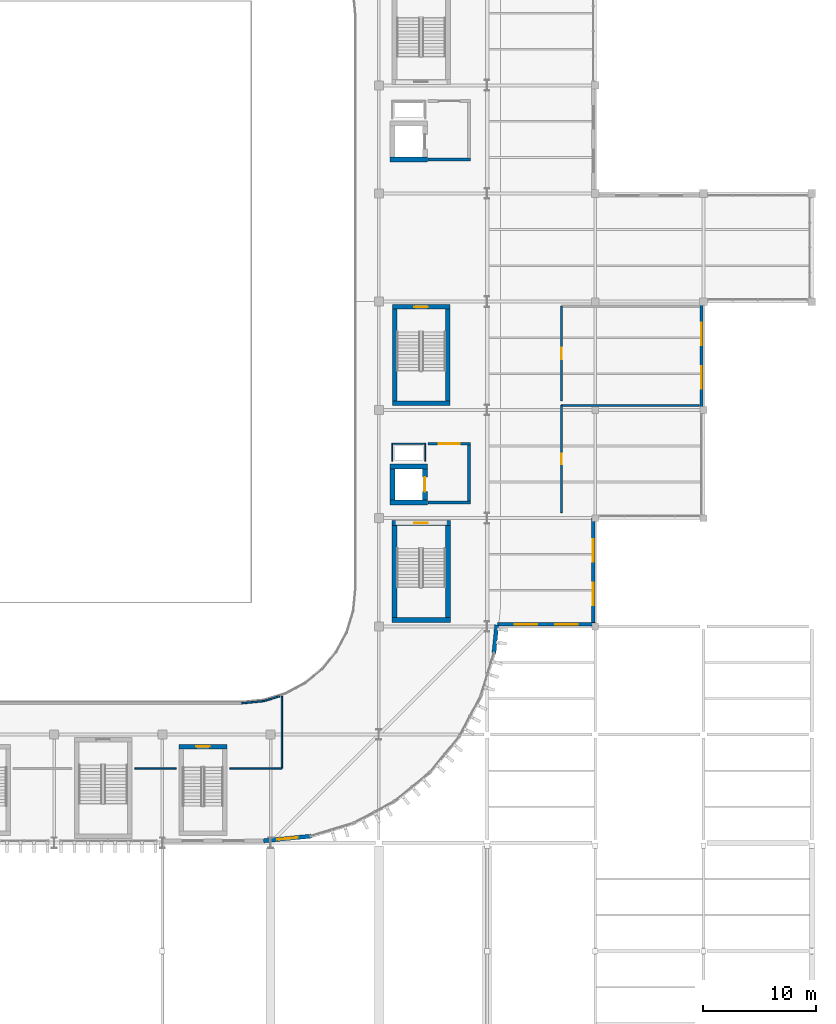
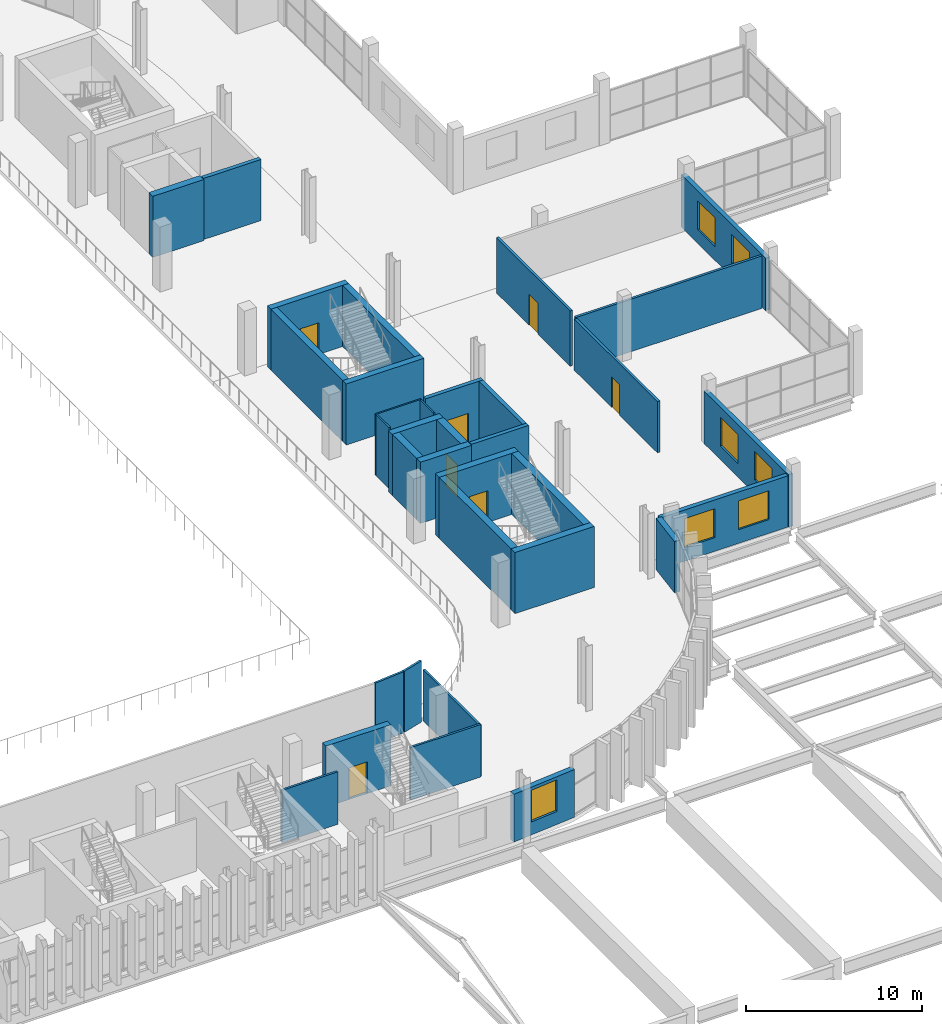
# One storey, part 50 of 75: 34 walls, 7 doors, 7 windows, 14 openings.
"""IFC4 building model written with IfcOpenShell, lengths in metres."""

from ifc_helpers import new_model, si_unit, direction, frame, frame_2d, origin, place, context, subcontext, project, spatial, rectangle, extrude, material, layer, layer_set, type_object, element, fill, save


model = new_model("IFC4")

# Units and contexts
model_context = context("Model", 3, precision=1e-05, world=origin(), true_north=direction((0.0, 1.0)))
body_context = subcontext(model_context, "Body", "Model", "MODEL_VIEW")
ifc_project = project(units=[si_unit("LENGTHUNIT", "METRE"), si_unit("AREAUNIT", "SQUARE_METRE"), si_unit("VOLUMEUNIT", "CUBIC_METRE"), si_unit("PLANEANGLEUNIT", "RADIAN"), si_unit("MASSUNIT", "GRAM", prefix="KILO")], contexts=[model_context])

# Site, building, storey
site_placement = place(None, origin())
site = spatial("IfcSite", under=ifc_project, at=site_placement, CompositionType="ELEMENT")
building_placement = place(site_placement, origin())
building = spatial("IfcBuilding", under=site, at=building_placement, Name="Caelomonte Colonnade Arena", CompositionType="ELEMENT")
storey_placement = place(building_placement, frame((0.0, 0.0, 14.10009765625)))
storey = spatial("IfcBuildingStorey", under=building, at=storey_placement, Name="L03", CompositionType="ELEMENT", Elevation=14.10009765625)

# Wall, openings, windows
ifc_material_1 = material(Name="Precast concrete C40/50", Category="concrete")
ifc_layer_1 = layer(ifc_material_1, 0.2900390625)
ifc_layer_set_1 = layer_set([ifc_layer_1], Name="Precast concrete C40/50")
wall_type_1 = type_object("IfcWallType", Name="ENV-WL-EXT29", PredefinedType="SOLIDWALL", material=ifc_layer_set_1)
wall_1_placement = place(storey_placement, frame((164.102783203125, 38.580078125, 0.0), z_axis=(0.0, 0.0, 1.0), x_axis=(1.0, 0.0, 0.0)))
wall_1 = element("IfcWall", 1, at=wall_1_placement, inside=storey, type_object=wall_type_1, Name="L03 exterior wall EW-L03-0280", PredefinedType="SOLIDWALL", context=body_context, shape_type="SweptSolid", body=[
    extrude(rectangle(XDim=8.697265625, YDim=0.2900390625, at=frame_2d((4.3486328125, 0.0))), origin(), (0.0, 0.0, 1.0), 3.556396484375),
])
opening_1_placement = place(wall_1_placement, frame((3.56591796875, 0.0, 0.949951171875), z_axis=(0.0, 0.0, 1.0), x_axis=(-1.0, 0.0, 0.0)))
opening_1 = element("IfcOpeningElement", 2, at=opening_1_placement, cuts=wall_1, Name="Opening WN-06", PredefinedType="OPENING", context=body_context, shape_type="SweptSolid", body=[
    extrude(rectangle(XDim=2.0, YDim=2.0, at=frame_2d((1.0, 1.0))), frame((0.0, 0.155029296875, 0.0), z_axis=(0.0, -1.0, 0.0), x_axis=(1.0, 0.0, 0.0)), (0.0, 0.0, 1.0), 0.31005859375),
])
opening_2_placement = place(wall_1_placement, frame((7.131591796875, 0.0, 0.949951171875), z_axis=(0.0, 0.0, 1.0), x_axis=(-1.0, 0.0, 0.0)))
opening_2 = element("IfcOpeningElement", 3, at=opening_2_placement, cuts=wall_1, Name="Opening WN-06", PredefinedType="OPENING", context=body_context, shape_type="SweptSolid", body=[
    extrude(rectangle(XDim=2.0, YDim=2.0, at=frame_2d((1.0, 1.0))), frame((0.0, 0.155029296875, 0.0), z_axis=(0.0, -1.0, 0.0), x_axis=(1.0, 0.0, 0.0)), (0.0, 0.0, 1.0), 0.31005859375),
])
ifc_material_2 = material(Name="Solar-control bronze low-E double glazing", Category="glass")
window_type_1 = type_object("IfcWindowType", Name="ENV-WN-V4C", PartitioningType="DOUBLE_PANEL_VERTICAL", PredefinedType="WINDOW", material=ifc_material_2)
window_1_placement = place(opening_1_placement, origin())
window_1 = element("IfcWindow", 4, at=window_1_placement, inside=storey, type_object=window_type_1, Name="L03 facade window 214", OverallHeight=2.0, OverallWidth=2.0, PartitioningType="SINGLE_PANEL", PredefinedType="WINDOW", context=body_context, shape_type="SweptSolid", body=[
    extrude(rectangle(XDim=2.0, YDim=2.0, at=frame_2d((1.0, 1.0))), frame((0.0, 0.030029296875, 0.0), z_axis=(0.0, -1.0, 0.0), x_axis=(1.0, 0.0, 0.0)), (0.0, 0.0, 1.0), 0.06005859375),
])
fill(opening_1, window_1)
window_2_placement = place(opening_2_placement, origin())
window_2 = element("IfcWindow", 5, at=window_2_placement, inside=storey, type_object=window_type_1, Name="L03 facade window 215", OverallHeight=2.0, OverallWidth=2.0, PartitioningType="SINGLE_PANEL", PredefinedType="WINDOW", context=body_context, shape_type="SweptSolid", body=[
    extrude(rectangle(XDim=2.0, YDim=2.0, at=frame_2d((1.0, 1.0))), frame((0.0, 0.030029296875, 0.0), z_axis=(0.0, -1.0, 0.0), x_axis=(1.0, 0.0, 0.0)), (0.0, 0.0, 1.0), 0.06005859375),
])
fill(opening_2, window_2)

wall_2_placement = place(storey_placement, frame((172.6201171875, 38.39990234375, 0.0), z_axis=(0.0, 0.0, 1.0), x_axis=(0.0, 1.0, 0.0)))
wall_2 = element("IfcWall", 6, at=wall_2_placement, inside=storey, type_object=wall_type_1, Name="L03 exterior wall EW-L03-0281", PredefinedType="SOLIDWALL", context=body_context, shape_type="SweptSolid", body=[
    extrude(rectangle(XDim=9.60009765625, YDim=0.2900390625, at=frame_2d((4.800048828125, 0.0))), origin(), (0.0, 0.0, 1.0), 3.637939453125),
])
opening_3_placement = place(wall_2_placement, frame((3.86669921875, 0.0, 0.949951171875), z_axis=(0.0, 0.0, 1.0), x_axis=(-1.0, 0.0, 0.0)))
opening_3 = element("IfcOpeningElement", 7, at=opening_3_placement, cuts=wall_2, Name="Opening WN-06", PredefinedType="OPENING", context=body_context, shape_type="SweptSolid", body=[
    extrude(rectangle(XDim=2.0, YDim=2.0, at=frame_2d((1.0, 1.0))), frame((0.0, 0.155029296875, 0.0), z_axis=(0.0, -1.0, 0.0), x_axis=(1.0, 0.0, 0.0)), (0.0, 0.0, 1.0), 0.31005859375),
])
opening_4_placement = place(wall_2_placement, frame((7.7333984375, 0.0, 0.949951171875), z_axis=(0.0, 0.0, 1.0), x_axis=(-1.0, 0.0, 0.0)))
opening_4 = element("IfcOpeningElement", 8, at=opening_4_placement, cuts=wall_2, Name="Opening WN-06", PredefinedType="OPENING", context=body_context, shape_type="SweptSolid", body=[
    extrude(rectangle(XDim=2.0, YDim=2.0, at=frame_2d((1.0, 1.0))), frame((0.0, 0.155029296875, 0.0), z_axis=(0.0, -1.0, 0.0), x_axis=(1.0, 0.0, 0.0)), (0.0, 0.0, 1.0), 0.31005859375),
])
window_3_placement = place(opening_3_placement, origin())
window_3 = element("IfcWindow", 9, at=window_3_placement, inside=storey, type_object=window_type_1, Name="L03 facade window 216", OverallHeight=2.0, OverallWidth=2.0, PartitioningType="SINGLE_PANEL", PredefinedType="WINDOW", context=body_context, shape_type="SweptSolid", body=[
    extrude(rectangle(XDim=2.0, YDim=2.0, at=frame_2d((1.0, 1.0))), frame((0.0, 0.030029296875, 0.0), z_axis=(0.0, -1.0, 0.0), x_axis=(1.0, 0.0, 0.0)), (0.0, 0.0, 1.0), 0.06005859375),
])
fill(opening_3, window_3)
window_4_placement = place(opening_4_placement, origin())
window_4 = element("IfcWindow", 10, at=window_4_placement, inside=storey, type_object=window_type_1, Name="L03 facade window 217", OverallHeight=2.0, OverallWidth=2.0, PartitioningType="SINGLE_PANEL", PredefinedType="WINDOW", context=body_context, shape_type="SweptSolid", body=[
    extrude(rectangle(XDim=2.0, YDim=2.0, at=frame_2d((1.0, 1.0))), frame((0.0, 0.030029296875, 0.0), z_axis=(0.0, -1.0, 0.0), x_axis=(1.0, 0.0, 0.0)), (0.0, 0.0, 1.0), 0.06005859375),
])
fill(opening_4, window_4)

wall_3_placement = place(storey_placement, frame((182.219970703125, 57.60009765625, 0.0), z_axis=(0.0, 0.0, 1.0), x_axis=(0.0, 1.0, 0.0)))
wall_3 = element("IfcWall", 11, at=wall_3_placement, inside=storey, type_object=wall_type_1, Name="L03 exterior wall EW-L03-0282", PredefinedType="SOLIDWALL", context=body_context, shape_type="SweptSolid", body=[
    extrude(rectangle(XDim=9.599853515625, YDim=0.2900390625, at=frame_2d((4.7998046875, 0.0))), origin(), (0.0, 0.0, 1.0), 3.637939453125),
])
opening_5_placement = place(wall_3_placement, frame((3.86669921875, 0.0, 0.949951171875), z_axis=(0.0, 0.0, 1.0), x_axis=(-1.0, 0.0, 0.0)))
opening_5 = element("IfcOpeningElement", 12, at=opening_5_placement, cuts=wall_3, Name="Opening WN-06", PredefinedType="OPENING", context=body_context, shape_type="SweptSolid", body=[
    extrude(rectangle(XDim=2.0, YDim=2.0, at=frame_2d((1.0, 1.0))), frame((0.0, 0.155029296875, 0.0), z_axis=(0.0, -1.0, 0.0), x_axis=(1.0, 0.0, 0.0)), (0.0, 0.0, 1.0), 0.31005859375),
])
opening_6_placement = place(wall_3_placement, frame((7.7333984375, 0.0, 0.949951171875), z_axis=(0.0, 0.0, 1.0), x_axis=(-1.0, 0.0, 0.0)))
opening_6 = element("IfcOpeningElement", 13, at=opening_6_placement, cuts=wall_3, Name="Opening WN-06", PredefinedType="OPENING", context=body_context, shape_type="SweptSolid", body=[
    extrude(rectangle(XDim=2.0, YDim=2.0, at=frame_2d((1.0, 1.0))), frame((0.0, 0.155029296875, 0.0), z_axis=(0.0, -1.0, 0.0), x_axis=(1.0, 0.0, 0.0)), (0.0, 0.0, 1.0), 0.31005859375),
])
window_5_placement = place(opening_5_placement, origin())
window_5 = element("IfcWindow", 14, at=window_5_placement, inside=storey, type_object=window_type_1, Name="L03 facade window 218", OverallHeight=2.0, OverallWidth=2.0, PartitioningType="SINGLE_PANEL", PredefinedType="WINDOW", context=body_context, shape_type="SweptSolid", body=[
    extrude(rectangle(XDim=2.0, YDim=2.0, at=frame_2d((1.0, 1.0))), frame((0.0, 0.030029296875, 0.0), z_axis=(0.0, -1.0, 0.0), x_axis=(1.0, 0.0, 0.0)), (0.0, 0.0, 1.0), 0.06005859375),
])
fill(opening_5, window_5)
window_6_placement = place(opening_6_placement, origin())
window_6 = element("IfcWindow", 15, at=window_6_placement, inside=storey, type_object=window_type_1, Name="L03 facade window 219", OverallHeight=2.0, OverallWidth=2.0, PartitioningType="SINGLE_PANEL", PredefinedType="WINDOW", context=body_context, shape_type="SweptSolid", body=[
    extrude(rectangle(XDim=2.0, YDim=2.0, at=frame_2d((1.0, 1.0))), frame((0.0, 0.030029296875, 0.0), z_axis=(0.0, -1.0, 0.0), x_axis=(1.0, 0.0, 0.0)), (0.0, 0.0, 1.0), 0.06005859375),
])
fill(opening_6, window_6)

# Wall, opening, window
ifc_layer_2 = layer(ifc_material_1, 0.360107421875)
ifc_layer_set_2 = layer_set([ifc_layer_2], Name="Precast concrete C40/50")
wall_type_2 = type_object("IfcWallType", Name="ENV-WL-EXT36", PredefinedType="SOLIDWALL", material=ifc_layer_set_2)
wall_4_placement = place(storey_placement, frame((143.38232421875, 19.379150390625, 0.0), z_axis=(0.0, 0.0, 1.0), x_axis=(0.995184426144, 0.098020191596, 0.0)))
wall_4 = element("IfcWall", 16, at=wall_4_placement, inside=storey, type_object=wall_type_2, Name="L03 exterior wall EW-L03-0278", PredefinedType="SOLIDWALL", context=body_context, shape_type="SweptSolid", body=[
    extrude(rectangle(XDim=4.23681640625, YDim=0.360107421875, at=frame_2d((2.118408203125, 0.0))), origin(), (0.0, 0.0, 1.0), 3.312744140625),
])
opening_7_placement = place(wall_4_placement, frame((3.0185546875, 0.0, 0.89990234375), z_axis=(0.0, 0.0, 1.0), x_axis=(-1.0, 0.0, 0.0)))
opening_7 = element("IfcOpeningElement", 17, at=opening_7_placement, cuts=wall_4, Name="Opening WN-03", PredefinedType="OPENING", context=body_context, shape_type="SweptSolid", body=[
    extrude(rectangle(XDim=1.800048828125, YDim=2.199951171875, at=frame_2d((0.89990234375, 1.10009765625))), frame((0.0, 0.18994140625, 0.0), z_axis=(0.0, -1.0, 0.0), x_axis=(1.0, 0.0, 0.0)), (0.0, 0.0, 1.0), 0.380126953125),
])
window_type_2 = type_object("IfcWindowType", Name="ENV-WN-V3C", PartitioningType="DOUBLE_PANEL_VERTICAL", PredefinedType="WINDOW", material=ifc_material_2)
window_7_placement = place(opening_7_placement, origin())
window_7 = element("IfcWindow", 18, at=window_7_placement, inside=storey, type_object=window_type_2, Name="L03 facade window 213", OverallHeight=2.199951171875, OverallWidth=1.800048828125, PartitioningType="SINGLE_PANEL", PredefinedType="WINDOW", context=body_context, shape_type="SweptSolid", body=[
    extrude(rectangle(XDim=1.800048828125, YDim=2.199951171875, at=frame_2d((0.89990234375, 1.10009765625))), frame((0.0, 0.030029296875, 0.0), z_axis=(0.0, -1.0, 0.0), x_axis=(1.0, 0.0, 0.0)), (0.0, 0.0, 1.0), 0.06005859375),
])
fill(opening_7, window_7)

# Walls
wall_5_placement = place(storey_placement, frame((163.8056640625, 36.001220703125, 0.0), z_axis=(0.0, 0.0, 1.0), x_axis=(0.098014274014, 0.995185008975, 0.0)))
element("IfcWall", 19, at=wall_5_placement, inside=storey, type_object=wall_type_2, Name="L03 exterior wall EW-L03-0279", PredefinedType="SOLIDWALL", context=body_context, shape_type="SweptSolid", body=[
    extrude(rectangle(XDim=2.548095703125, YDim=0.360107421875, at=frame_2d((1.27392578125, 0.0))), origin(), (0.0, 0.0, 1.0), 3.556396484375),
])
ifc_material_3 = material(Name="Concrete C40/50", Category="concrete")
ifc_layer_3 = layer(ifc_material_3, 0.260009765625)
ifc_layer_set_3 = layer_set([ifc_layer_3], Name="Concrete C40/50")
wall_type_3 = type_object("IfcWallType", Name="INT-WL-FW26", PredefinedType="SOLIDWALL", material=ifc_layer_set_3)
wall_6_placement = place(storey_placement, frame((157.969970703125, 49.39990234375, 0.0), z_axis=(0.0, 0.0, 1.0), x_axis=(1.0, 0.0, 0.0)))
element("IfcWall", 20, at=wall_6_placement, inside=storey, type_object=wall_type_3, Name="FW-C2-LB L03 south enclosure wall", PredefinedType="SOLIDWALL", context=body_context, shape_type="SweptSolid", body=[
    extrude(rectangle(XDim=3.760009765625, YDim=0.260009765625, at=frame_2d((1.8798828125, 0.0))), origin(), (0.0, 0.0, 1.0), 4.239990234375),
])

# Wall, opening, door
wall_7_placement = place(storey_placement, frame((161.72998046875, 54.60009765625, 0.0), z_axis=(0.0, 0.0, 1.0), x_axis=(-1.0, 0.0, 0.0)))
wall_7 = element("IfcWall", 21, at=wall_7_placement, inside=storey, type_object=wall_type_3, Name="FW-C2-LB L03 north enclosure wall", PredefinedType="SOLIDWALL", context=body_context, shape_type="SweptSolid", body=[
    extrude(rectangle(XDim=3.760009765625, YDim=0.260009765625, at=frame_2d((1.8798828125, 0.0))), origin(), (0.0, 0.0, 1.0), 4.239990234375),
])
opening_8_placement = place(wall_7_placement, frame((2.80517578125, 0.0, 0.0), z_axis=(0.0, 0.0, 1.0), x_axis=(-1.0, 0.0, 0.0)))
opening_8 = element("IfcOpeningElement", 22, at=opening_8_placement, cuts=wall_7, Name="Opening FD-2", PredefinedType="OPENING", context=body_context, shape_type="SweptSolid", body=[
    extrude(rectangle(XDim=1.85009765625, YDim=2.25, at=frame_2d((0.925048828125, 1.125))), frame((0.0, 0.139892578125, 0.0), z_axis=(0.0, -1.0, 0.0), x_axis=(1.0, 0.0, 0.0)), (0.0, 0.0, 1.0), 0.280029296875),
])
ifc_material_4 = material(Name="Fire-rated double steel door", Category="steel")
door_type_1 = type_object("IfcDoorType", Name="INT-DR-FD90B", OperationType="DOUBLE_DOOR_SINGLE_SWING", PredefinedType="DOOR", material=ifc_material_4)
door_1_placement = place(opening_8_placement, origin())
door_1 = element("IfcDoor", 23, at=door_1_placement, inside=storey, type_object=door_type_1, Name="Core C2 L03 lobby fire door", OperationType="DOUBLE_DOOR_SINGLE_SWING", OverallHeight=2.25, OverallWidth=1.85009765625, PredefinedType="DOOR", context=body_context, shape_type="SweptSolid", body=[
    extrude(rectangle(XDim=1.85009765625, YDim=2.25, at=frame_2d((0.925048828125, 1.125))), frame((0.0, 0.02490234375, 0.0), z_axis=(0.0, -1.0, 0.0), x_axis=(1.0, 0.0, 0.0)), (0.0, 0.0, 1.0), 0.050048828125),
])
fill(opening_8, door_1)

# Walls
wall_8_placement = place(storey_placement, frame((161.60009765625, 49.530029296875, 0.0), z_axis=(0.0, 0.0, 1.0), x_axis=(0.0, 1.0, 0.0)))
element("IfcWall", 24, at=wall_8_placement, inside=storey, type_object=wall_type_3, Name="FW-C2-LB L03 east enclosure wall", PredefinedType="SOLIDWALL", context=body_context, shape_type="SweptSolid", body=[
    extrude(rectangle(XDim=4.93994140625, YDim=0.260009765625, at=frame_2d((2.469970703125, 0.0))), origin(), (0.0, 0.0, 1.0), 4.239990234375),
])
wall_9_placement = place(storey_placement, frame((157.969970703125, 79.800048828125, 0.0), z_axis=(0.0, 0.0, 1.0), x_axis=(1.0, 0.0, 0.0)))
element("IfcWall", 25, at=wall_9_placement, inside=storey, type_object=wall_type_3, Name="FW-C3-LB L03 south enclosure wall", PredefinedType="SOLIDWALL", context=body_context, shape_type="SweptSolid", body=[
    extrude(rectangle(XDim=3.760009765625, YDim=0.260009765625, at=frame_2d((1.8798828125, 0.0))), origin(), (0.0, 0.0, 1.0), 4.239990234375),
])
ifc_material_5 = material(Name="Service shaft lining partition")
ifc_layer_4 = layer(ifc_material_5, 0.10009765625)
ifc_layer_set_4 = layer_set([ifc_layer_4], Name="Service shaft lining partition")
wall_type_4 = type_object("IfcWallType", Name="INT-WL-PT10", PredefinedType="PARTITIONING", material=ifc_layer_set_4)
wall_10_placement = place(storey_placement, frame((157.75, 54.60009765625, 0.0), z_axis=(0.0, 0.0, 1.0), x_axis=(-1.0, 0.0, 0.0)))
element("IfcWall", 26, at=wall_10_placement, inside=storey, type_object=wall_type_4, Name="FW-C2-RS L03 north enclosure wall", PredefinedType="PARTITIONING", context=body_context, shape_type="SweptSolid", body=[
    extrude(rectangle(XDim=3.0, YDim=0.10009765625, at=frame_2d((1.5, 0.0))), origin(), (0.0, 0.0, 1.0), 4.239990234375),
])
for number, where, z_axis, x_axis, name in (
    (27, (154.800048828125, 54.550048828125, 0.0), (0.0, 0.0, 1.0), (0.0, -1.0, 0.0), "FW-C2-RS L03 west enclosure wall"),
    (28, (157.699951171875, 53.050048828125, 0.0), (0.0, 0.0, 1.0), (0.0, 1.0, 0.0), "FW-C2-RS L03 east enclosure wall"),
):
    element("IfcWall", number, at=place(storey_placement, frame(where, z_axis=z_axis, x_axis=x_axis)), inside=storey, type_object=wall_type_4, Name=name, PredefinedType="PARTITIONING", context=body_context, shape_type="SweptSolid", body=[
        extrude(rectangle(XDim=1.5, YDim=0.10009765625, at=frame_2d((0.75, 0.0))), origin(), (0.0, 0.0, 1.0), 4.239990234375),
    ])
ifc_material_6 = material(Name="Suite demising stud partition")
ifc_layer_5 = layer(ifc_material_6, 0.139892578125)
ifc_layer_set_5 = layer_set([ifc_layer_5], Name="Suite demising stud partition")
wall_type_5 = type_object("IfcWallType", Name="INT-WL-PT14", PredefinedType="PARTITIONING", material=ifc_layer_set_5)
wall_11_placement = place(storey_placement, frame((141.421630859375, 31.5810546875, 0.0), z_axis=(0.0, 0.0, 1.0), x_axis=(0.995185270943, 0.098011614095, 0.0)))
element("IfcWall", 29, at=wall_11_placement, inside=storey, type_object=wall_type_5, Name="L03 Hospitality Suite South Ring partition 201", PredefinedType="PARTITIONING", context=body_context, shape_type="SweptSolid", body=[
    extrude(rectangle(XDim=1.96044921875, YDim=0.139892578125, at=frame_2d((0.980224609375, 0.0))), origin(), (0.0, 0.0, 1.0), 4.239990234375),
])
wall_12_placement = place(storey_placement, frame((143.414794921875, 31.781494140625, 0.0), z_axis=(0.0, 0.0, 1.0), x_axis=(0.956921766266, 0.290345885534, 0.0)))
element("IfcWall", 30, at=wall_12_placement, inside=storey, type_object=wall_type_5, Name="L03 Hospitality Suite South Ring partition 202", PredefinedType="PARTITIONING", context=body_context, shape_type="SweptSolid", body=[
    extrude(rectangle(XDim=1.441162109375, YDim=0.139892578125, at=frame_2d((0.720703125, 0.0))), origin(), (0.0, 0.0, 1.0), 4.239990234375),
])
wall_13_placement = place(storey_placement, frame((145.0, 32.199951171875, 0.0), z_axis=(0.0, 0.0, 1.0), x_axis=(0.0, -1.0, 0.0)))
element("IfcWall", 31, at=wall_13_placement, inside=storey, type_object=wall_type_5, Name="L03 Hospitality Suite South Ring partition 203", PredefinedType="PARTITIONING", context=body_context, shape_type="SweptSolid", body=[
    extrude(rectangle(XDim=6.39990234375, YDim=0.139892578125, at=frame_2d((3.199951171875, 0.0))), origin(), (0.0, 0.0, 1.0), 3.556396484375),
])
wall_14_placement = place(storey_placement, frame((145.0, 25.800048828125, 0.0), z_axis=(0.0, 0.0, 1.0), x_axis=(-1.0, 0.0, 0.0)))
element("IfcWall", 32, at=wall_14_placement, inside=storey, type_object=wall_type_5, Name="L03 Hospitality Suite South Ring partition 204", PredefinedType="PARTITIONING", context=body_context, shape_type="SweptSolid", body=[
    extrude(rectangle(XDim=4.6201171875, YDim=0.139892578125, at=frame_2d((2.31005859375, 0.0))), origin(), (0.0, 0.0, 1.0), 3.637939453125),
])
wall_15_placement = place(storey_placement, frame((135.6201171875, 25.800048828125, 0.0), z_axis=(0.0, 0.0, 1.0), x_axis=(-1.0, 0.0, 0.0)))
element("IfcWall", 33, at=wall_15_placement, inside=storey, type_object=wall_type_5, Name="L03 Hospitality Suite South Ring partition 205", PredefinedType="PARTITIONING", context=body_context, shape_type="SweptSolid", body=[
    extrude(rectangle(XDim=3.670166015625, YDim=0.139892578125, at=frame_2d((1.8349609375, 0.0))), origin(), (0.0, 0.0, 1.0), 3.637939453125),
])
ifc_material_7 = material(Name="Moisture-resistant WC partition")
ifc_layer_6 = layer(ifc_material_7, 0.159912109375)
ifc_layer_set_6 = layer_set([ifc_layer_6], Name="Moisture-resistant WC partition")
wall_type_6 = type_object("IfcWallType", Name="INT-WL-PT16", PredefinedType="PARTITIONING", material=ifc_layer_set_6)
wall_16_placement = place(storey_placement, frame((169.800048828125, 58.0, 0.0), z_axis=(0.0, 0.0, 1.0), x_axis=(1.0, 0.0, 0.0)))
element("IfcWall", 34, at=wall_16_placement, inside=storey, type_object=wall_type_6, Name="L03 Suite Level Restroom partition 234", PredefinedType="PARTITIONING", context=body_context, shape_type="SweptSolid", body=[
    extrude(rectangle(XDim=12.199951171875, YDim=0.159912109375, at=frame_2d((6.10009765625, 0.0))), origin(), (0.0, 0.0, 1.0), 3.637939453125),
])

# Wall, opening, door
wall_17_placement = place(storey_placement, frame((169.800048828125, 48.5, 0.0), z_axis=(0.0, 0.0, 1.0), x_axis=(0.0, 1.0, 0.0)))
wall_17 = element("IfcWall", 35, at=wall_17_placement, inside=storey, type_object=wall_type_6, Name="L03 Suite Level Restroom partition 235", PredefinedType="PARTITIONING", context=body_context, shape_type="SweptSolid", body=[
    extrude(rectangle(XDim=9.5, YDim=0.159912109375, at=frame_2d((4.75, 0.0))), origin(), (0.0, 0.0, 1.0), 3.556396484375),
])
opening_9_placement = place(wall_17_placement, frame((4.2900390625, 0.0, 0.0), z_axis=(0.0, 0.0, 1.0), x_axis=(1.0, 0.0, 0.0)))
opening_9 = element("IfcOpeningElement", 36, at=opening_9_placement, cuts=wall_17, Name="Opening D-L03-063", PredefinedType="OPENING", context=body_context, shape_type="SweptSolid", body=[
    extrude(rectangle(XDim=0.919921875, YDim=2.1201171875, at=frame_2d((0.4599609375, 1.06005859375))), frame((0.0, 0.08984375, 0.0), z_axis=(0.0, -1.0, 0.0), x_axis=(1.0, 0.0, 0.0)), (0.0, 0.0, 1.0), 0.179931640625),
])
ifc_material_8 = material(Name="Laminate restroom entrance door")
door_type_2 = type_object("IfcDoorType", Name="INT-DR-WC1", OperationType="NOTDEFINED", PredefinedType="DOOR", material=ifc_material_8)
door_2_placement = place(opening_9_placement, origin())
door_2 = element("IfcDoor", 37, at=door_2_placement, inside=storey, type_object=door_type_2, Name="L03 Suite Level Restroom door D-L03-063", OperationType="SINGLE_SWING_RIGHT", OverallHeight=2.1201171875, OverallWidth=0.919921875, PredefinedType="DOOR", context=body_context, shape_type="SweptSolid", body=[
    extrude(rectangle(XDim=0.919921875, YDim=2.1201171875, at=frame_2d((0.4599609375, 1.06005859375))), frame((0.0, 0.02490234375, 0.0), z_axis=(0.0, -1.0, 0.0), x_axis=(1.0, 0.0, 0.0)), (0.0, 0.0, 1.0), 0.050048828125),
])
fill(opening_9, door_2)

wall_18_placement = place(storey_placement, frame((169.800048828125, 58.39990234375, 0.0), z_axis=(0.0, 0.0, 1.0), x_axis=(0.0, 1.0, 0.0)))
wall_18 = element("IfcWall", 38, at=wall_18_placement, inside=storey, type_object=wall_type_6, Name="L03 Suite Level Accessible WC partition 237", PredefinedType="PARTITIONING", context=body_context, shape_type="SweptSolid", body=[
    extrude(rectangle(XDim=8.400146484375, YDim=0.159912109375, at=frame_2d((4.2001953125, 0.0))), origin(), (0.0, 0.0, 1.0), 3.83349609375),
])
opening_10_placement = place(wall_18_placement, frame((3.68994140625, 0.0, 0.0), z_axis=(0.0, 0.0, 1.0), x_axis=(1.0, 0.0, 0.0)))
opening_10 = element("IfcOpeningElement", 39, at=opening_10_placement, cuts=wall_18, Name="Opening D-L03-064", PredefinedType="OPENING", context=body_context, shape_type="SweptSolid", body=[
    extrude(rectangle(XDim=1.02001953125, YDim=2.14990234375, at=frame_2d((0.510009765625, 1.074951171875))), frame((0.0, 0.08984375, 0.0), z_axis=(0.0, -1.0, 0.0), x_axis=(1.0, 0.0, 0.0)), (0.0, 0.0, 1.0), 0.179931640625),
])
ifc_material_9 = material(Name="Accessible WC outward-swing door")
door_type_3 = type_object("IfcDoorType", Name="INT-DR-AWC", OperationType="NOTDEFINED", PredefinedType="DOOR", material=ifc_material_9)
door_3_placement = place(opening_10_placement, origin())
door_3 = element("IfcDoor", 40, at=door_3_placement, inside=storey, type_object=door_type_3, Name="L03 Suite Level Accessible WC door D-L03-064", OperationType="SINGLE_SWING_LEFT", OverallHeight=2.14990234375, OverallWidth=1.02001953125, PredefinedType="DOOR", context=body_context, shape_type="SweptSolid", body=[
    extrude(rectangle(XDim=1.02001953125, YDim=2.14990234375, at=frame_2d((0.510009765625, 1.074951171875))), frame((0.0, 0.02490234375, 0.0), z_axis=(0.0, -1.0, 0.0), x_axis=(1.0, 0.0, 0.0)), (0.0, 0.0, 1.0), 0.050048828125),
])
fill(opening_10, door_3)

# Wall
ifc_material_10 = material(Name="Concrete C50/60", Category="concrete")
ifc_layer_7 = layer(ifc_material_10, 0.39990234375)
ifc_layer_set_7 = layer_set([ifc_layer_7], Name="Concrete C50/60")
wall_type_7 = type_object("IfcWallType", Name="INT-WL-SH40", PredefinedType="SHEAR", material=ifc_layer_set_7)
wall_19_placement = place(storey_placement, frame((154.800048828125, 58.199951171875, 0.0), z_axis=(0.0, 0.0, 1.0), x_axis=(1.0, 0.0, 0.0)))
element("IfcWall", 41, at=wall_19_placement, inside=storey, type_object=wall_type_7, Name="CW-ST-10 L03 south enclosure wall", PredefinedType="SHEAR", context=body_context, shape_type="SweptSolid", body=[
    extrude(rectangle(XDim=5.099853515625, YDim=0.39990234375, at=frame_2d((2.5498046875, 0.0))), origin(), (0.0, 0.0, 1.0), 4.239990234375),
])

# Wall, opening, door
wall_20_placement = place(storey_placement, frame((159.89990234375, 66.75, 0.0), z_axis=(0.0, 0.0, 1.0), x_axis=(-1.0, 0.0, 0.0)))
wall_20 = element("IfcWall", 42, at=wall_20_placement, inside=storey, type_object=wall_type_7, Name="CW-ST-10 L03 north enclosure wall", PredefinedType="SHEAR", context=body_context, shape_type="SweptSolid", body=[
    extrude(rectangle(XDim=5.099853515625, YDim=0.39990234375, at=frame_2d((2.5498046875, 0.0))), origin(), (0.0, 0.0, 1.0), 4.239990234375),
])
opening_11_placement = place(wall_20_placement, frame((3.14990234375, 0.0, 0.0), z_axis=(0.0, 0.0, 1.0), x_axis=(-1.0, 0.0, 0.0)))
opening_11 = element("IfcOpeningElement", 43, at=opening_11_placement, cuts=wall_20, Name="Opening FD-1", PredefinedType="OPENING", context=body_context, shape_type="SweptSolid", body=[
    extrude(rectangle(XDim=1.199951171875, YDim=2.199951171875, at=frame_2d((0.60009765625, 1.10009765625))), frame((0.0, 0.2099609375, 0.0), z_axis=(0.0, -1.0, 0.0), x_axis=(1.0, 0.0, 0.0)), (0.0, 0.0, 1.0), 0.419921875),
])
ifc_material_11 = material(Name="Fire-rated steel door", Category="steel")
door_type_4 = type_object("IfcDoorType", Name="INT-DR-FD90A", OperationType="NOTDEFINED", PredefinedType="DOOR", material=ifc_material_11)
door_4_placement = place(opening_11_placement, origin())
door_4 = element("IfcDoor", 44, at=door_4_placement, inside=storey, type_object=door_type_4, Name="Protected exit stair ST-10 L03 fire door", OperationType="SINGLE_SWING_LEFT", OverallHeight=2.199951171875, OverallWidth=1.199951171875, PredefinedType="DOOR", context=body_context, shape_type="SweptSolid", body=[
    extrude(rectangle(XDim=1.199951171875, YDim=2.199951171875, at=frame_2d((0.60009765625, 1.10009765625))), frame((0.0, 0.02490234375, 0.0), z_axis=(0.0, -1.0, 0.0), x_axis=(1.0, 0.0, 0.0)), (0.0, 0.0, 1.0), 0.050048828125),
])
fill(opening_11, door_4)

# Walls
for number, where, z_axis, x_axis, name in (
    (45, (155.0, 66.550048828125, 0.0), (0.0, 0.0, 1.0), (0.0, -1.0, 0.0), "CW-ST-10 L03 west enclosure wall"),
    (46, (159.699951171875, 58.39990234375, 0.0), (0.0, 0.0, 1.0), (0.0, 1.0, 0.0), "CW-ST-10 L03 east enclosure wall"),
):
    element("IfcWall", number, at=place(storey_placement, frame(where, z_axis=z_axis, x_axis=x_axis)), inside=storey, type_object=wall_type_7, Name=name, PredefinedType="SHEAR", context=body_context, shape_type="SweptSolid", body=[
        extrude(rectangle(XDim=8.150146484375, YDim=0.39990234375, at=frame_2d((4.0751953125, 0.0))), origin(), (0.0, 0.0, 1.0), 4.239990234375),
    ])

# Wall, opening, door
wall_21_placement = place(storey_placement, frame((140.1298828125, 27.72998046875, 0.0), z_axis=(0.0, 0.0, 1.0), x_axis=(-1.0, 0.0, 0.0)))
wall_21 = element("IfcWall", 47, at=wall_21_placement, inside=storey, type_object=wall_type_7, Name="CW-ST-V12 L03 north enclosure wall", PredefinedType="SHEAR", context=body_context, shape_type="SweptSolid", body=[
    extrude(rectangle(XDim=4.259765625, YDim=0.39990234375, at=frame_2d((2.1298828125, 0.0))), origin(), (0.0, 0.0, 1.0), 4.239990234375),
])
opening_12_placement = place(wall_21_placement, frame((2.72998046875, 0.0, 0.0), z_axis=(0.0, 0.0, 1.0), x_axis=(-1.0, 0.0, 0.0)))
opening_12 = element("IfcOpeningElement", 48, at=opening_12_placement, cuts=wall_21, Name="Opening FD-1", PredefinedType="OPENING", context=body_context, shape_type="SweptSolid", body=[
    extrude(rectangle(XDim=1.199951171875, YDim=2.199951171875, at=frame_2d((0.60009765625, 1.10009765625))), frame((0.0, 0.2099609375, 0.0), z_axis=(0.0, -1.0, 0.0), x_axis=(1.0, 0.0, 0.0)), (0.0, 0.0, 1.0), 0.419921875),
])
door_5_placement = place(opening_12_placement, origin())
door_5 = element("IfcDoor", 49, at=door_5_placement, inside=storey, type_object=door_type_4, Name="Vomitory VOM-12 stair ST-V12 L03 portal door", OperationType="SINGLE_SWING_RIGHT", OverallHeight=2.199951171875, OverallWidth=1.199951171875, PredefinedType="DOOR", context=body_context, shape_type="SweptSolid", body=[
    extrude(rectangle(XDim=1.199951171875, YDim=2.199951171875, at=frame_2d((0.60009765625, 1.10009765625))), frame((0.0, 0.02490234375, 0.0), z_axis=(0.0, -1.0, 0.0), x_axis=(1.0, 0.0, 0.0)), (0.0, 0.0, 1.0), 0.050048828125),
])
fill(opening_12, door_5)

# Wall
ifc_layer_8 = layer(ifc_material_10, 0.449951171875)
ifc_layer_set_8 = layer_set([ifc_layer_8], Name="Concrete C50/60")
wall_type_8 = type_object("IfcWallType", Name="INT-WL-SH45", PredefinedType="SHEAR", material=ifc_layer_set_8)
wall_22_placement = place(storey_placement, frame((154.75, 38.97509765625, 0.0), z_axis=(0.0, 0.0, 1.0), x_axis=(1.0, 0.0, 0.0)))
element("IfcWall", 50, at=wall_22_placement, inside=storey, type_object=wall_type_8, Name="CW-C2-ST L03 south enclosure wall", PredefinedType="SHEAR", context=body_context, shape_type="SweptSolid", body=[
    extrude(rectangle(XDim=5.199951171875, YDim=0.449951171875, at=frame_2d((2.60009765625, 0.0))), origin(), (0.0, 0.0, 1.0), 4.239990234375),
])

# Wall, opening, door
wall_23_placement = place(storey_placement, frame((159.949951171875, 47.574951171875, 0.0), z_axis=(0.0, 0.0, 1.0), x_axis=(-1.0, 0.0, 0.0)))
wall_23 = element("IfcWall", 51, at=wall_23_placement, inside=storey, type_object=wall_type_8, Name="CW-C2-ST L03 north enclosure wall", PredefinedType="SHEAR", context=body_context, shape_type="SweptSolid", body=[
    extrude(rectangle(XDim=5.199951171875, YDim=0.449951171875, at=frame_2d((2.60009765625, 0.0))), origin(), (0.0, 0.0, 1.0), 4.239990234375),
])
opening_13_placement = place(wall_23_placement, frame((3.199951171875, 0.0, 0.0), z_axis=(0.0, 0.0, 1.0), x_axis=(-1.0, 0.0, 0.0)))
opening_13 = element("IfcOpeningElement", 52, at=opening_13_placement, cuts=wall_23, Name="Opening FD-1", PredefinedType="OPENING", context=body_context, shape_type="SweptSolid", body=[
    extrude(rectangle(XDim=1.199951171875, YDim=2.199951171875, at=frame_2d((0.60009765625, 1.10009765625))), frame((0.0, 0.23486328125, 0.0), z_axis=(0.0, -1.0, 0.0), x_axis=(1.0, 0.0, 0.0)), (0.0, 0.0, 1.0), 0.469970703125),
])
door_6_placement = place(opening_13_placement, origin())
door_6 = element("IfcDoor", 53, at=door_6_placement, inside=storey, type_object=door_type_4, Name="Core C2 L03 exit stair fire door", OperationType="SINGLE_SWING_RIGHT", OverallHeight=2.199951171875, OverallWidth=1.199951171875, PredefinedType="DOOR", context=body_context, shape_type="SweptSolid", body=[
    extrude(rectangle(XDim=1.199951171875, YDim=2.199951171875, at=frame_2d((0.60009765625, 1.10009765625))), frame((0.0, 0.02490234375, 0.0), z_axis=(0.0, -1.0, 0.0), x_axis=(1.0, 0.0, 0.0)), (0.0, 0.0, 1.0), 0.050048828125),
])
fill(opening_13, door_6)

# Walls
for number, where, z_axis, x_axis, name in (
    (54, (154.97509765625, 47.35009765625, 0.0), (0.0, 0.0, 1.0), (0.0, -1.0, 0.0), "CW-C2-ST L03 west enclosure wall"),
    (55, (159.72509765625, 39.199951171875, 0.0), (0.0, 0.0, 1.0), (0.0, 1.0, 0.0), "CW-C2-ST L03 east enclosure wall"),
):
    element("IfcWall", number, at=place(storey_placement, frame(where, z_axis=z_axis, x_axis=x_axis)), inside=storey, type_object=wall_type_8, Name=name, PredefinedType="SHEAR", context=body_context, shape_type="SweptSolid", body=[
        extrude(rectangle(XDim=8.150146484375, YDim=0.449951171875, at=frame_2d((4.0751953125, 0.0))), origin(), (0.0, 0.0, 1.0), 4.239990234375),
    ])
for number, where, z_axis, x_axis, name in (
    (56, (154.574951171875, 49.39990234375, 0.0), (0.0, 0.0, 1.0), (1.0, 0.0, 0.0), "CW-C2-LF L03 south enclosure wall"),
    (57, (157.925048828125, 52.60009765625, 0.0), (0.0, 0.0, 1.0), (-1.0, 0.0, 0.0), "CW-C2-LF L03 north enclosure wall"),
):
    element("IfcWall", number, at=place(storey_placement, frame(where, z_axis=z_axis, x_axis=x_axis)), inside=storey, type_object=wall_type_8, Name=name, PredefinedType="SHEAR", context=body_context, shape_type="SweptSolid", body=[
        extrude(rectangle(XDim=3.35009765625, YDim=0.449951171875, at=frame_2d((1.675048828125, 0.0))), origin(), (0.0, 0.0, 1.0), 4.239990234375),
    ])
wall_24_placement = place(storey_placement, frame((154.800048828125, 52.375, 0.0), z_axis=(0.0, 0.0, 1.0), x_axis=(0.0, -1.0, 0.0)))
element("IfcWall", 58, at=wall_24_placement, inside=storey, type_object=wall_type_8, Name="CW-C2-LF L03 west enclosure wall", PredefinedType="SHEAR", context=body_context, shape_type="SweptSolid", body=[
    extrude(rectangle(XDim=2.75, YDim=0.449951171875, at=frame_2d((1.375, 0.0))), origin(), (0.0, 0.0, 1.0), 4.239990234375),
])

# Wall, opening, door
wall_25_placement = place(storey_placement, frame((157.699951171875, 49.625, 0.0), z_axis=(0.0, 0.0, 1.0), x_axis=(0.0, 1.0, 0.0)))
wall_25 = element("IfcWall", 59, at=wall_25_placement, inside=storey, type_object=wall_type_8, Name="CW-C2-LF L03 east enclosure wall", PredefinedType="SHEAR", context=body_context, shape_type="SweptSolid", body=[
    extrude(rectangle(XDim=2.75, YDim=0.449951171875, at=frame_2d((1.375, 0.0))), origin(), (0.0, 0.0, 1.0), 4.239990234375),
])
opening_14_placement = place(wall_25_placement, frame((0.72509765625, 0.0, 0.0), z_axis=(0.0, 0.0, 1.0), x_axis=(1.0, 0.0, 0.0)))
opening_14 = element("IfcOpeningElement", 60, at=opening_14_placement, cuts=wall_25, Name="Opening LD-FL-02-L03", PredefinedType="OPENING", context=body_context, shape_type="SweptSolid", body=[
    extrude(rectangle(XDim=1.300048828125, YDim=2.25, at=frame_2d((0.64990234375, 1.125))), frame((0.0, 0.23486328125, 0.0), z_axis=(0.0, -1.0, 0.0), x_axis=(1.0, 0.0, 0.0)), (0.0, 0.0, 1.0), 0.469970703125),
])
ifc_material_12 = material(Name="Firefighting lift landing door")
door_type_5 = type_object("IfcDoorType", Name="INT-DR-LD2", OperationType="SLIDING_TO_RIGHT", PredefinedType="DOOR", material=ifc_material_12)
door_7_placement = place(opening_14_placement, origin())
door_7 = element("IfcDoor", 61, at=door_7_placement, inside=storey, type_object=door_type_5, Name="Lift FL-02 L03 sliding landing door", OperationType="SLIDING_TO_RIGHT", OverallHeight=2.25, OverallWidth=1.300048828125, PredefinedType="DOOR", context=body_context, shape_type="SweptSolid", body=[
    extrude(rectangle(XDim=1.300048828125, YDim=2.25, at=frame_2d((0.64990234375, 1.125))), frame((0.0, 0.02490234375, 0.0), z_axis=(0.0, -1.0, 0.0), x_axis=(1.0, 0.0, 0.0)), (0.0, 0.0, 1.0), 0.050048828125),
])
fill(opening_14, door_7)

# Wall
wall_26_placement = place(storey_placement, frame((154.574951171875, 79.800048828125, 0.0), z_axis=(0.0, 0.0, 1.0), x_axis=(1.0, 0.0, 0.0)))
element("IfcWall", 62, at=wall_26_placement, inside=storey, type_object=wall_type_8, Name="CW-C3-LF L03 south enclosure wall", PredefinedType="SHEAR", context=body_context, shape_type="SweptSolid", body=[
    extrude(rectangle(XDim=3.35009765625, YDim=0.449951171875, at=frame_2d((1.675048828125, 0.0))), origin(), (0.0, 0.0, 1.0), 4.239990234375),
])

save(model, "model.ifc")
